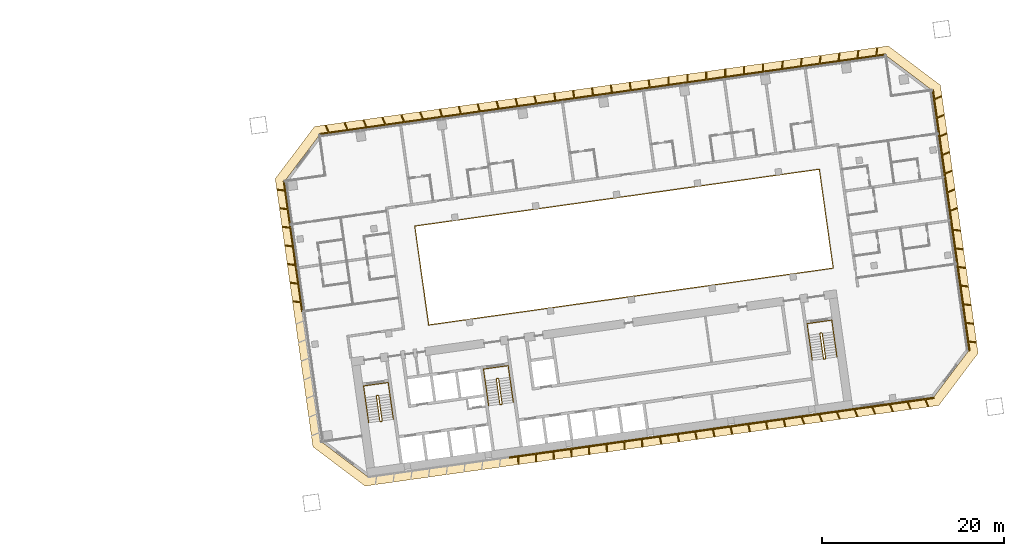
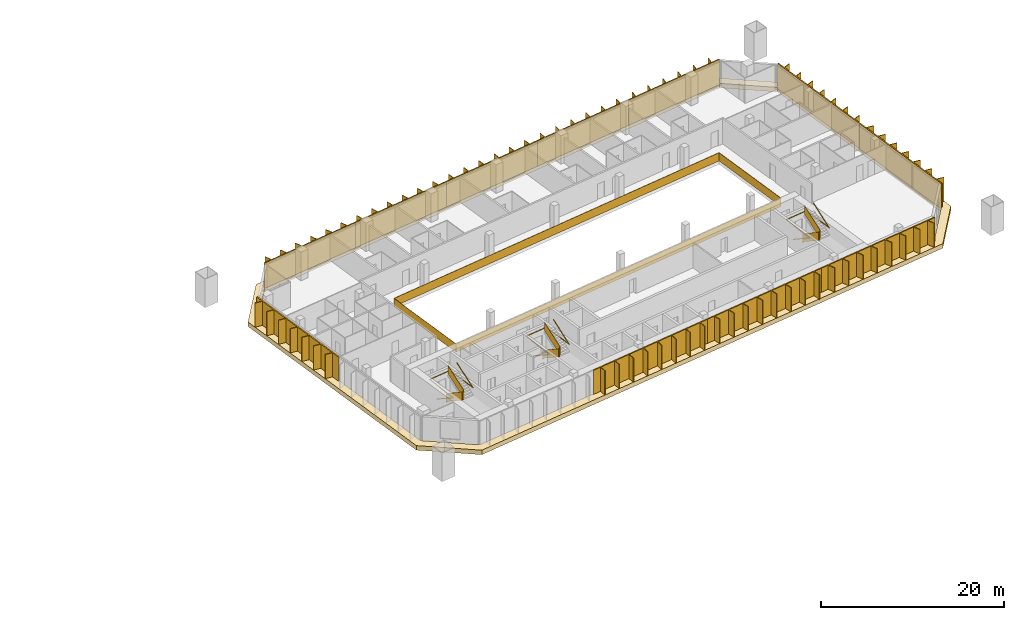
# One storey, part 25 of 25: 11 shading devices, 7 railings, 1 covering.
"""IFC4 building model written with IfcOpenShell, lengths in metres."""

import ifcopenshell
import ifcopenshell.guid

model = None  # the IFC model being written
_history = None  # IfcOwnerHistory: only IFC2X3 demands one
_inside = {}  # id of a spatial element -> (the spatial element, [elements in it])
_under = {}  # id of a project, library or spatial element -> (it, [spatial elements below it])
_declared = {}  # id of a project -> (the project, [libraries it declares])
_typed = {}  # id of a type object -> (the type object, [elements of that type])
_made_of = {}  # id of a material, layer set ... -> (it, [elements and type objects made of it])


def new_model(schema):
    """Start an empty IFC model of exactly this schema.

    Asked for "IFC4X3", IfcOpenShell would pick the latest addendum, in which some entities
    have other attributes; the version numbers below select the first issue.
    IFC2X3 requires an IfcOwnerHistory on every rooted entity: one is made here for all.
    """
    global model, _history
    if schema == "IFC4X3":
        model = ifcopenshell.file(schema_version=(4, 3, 0, 0))
    else:
        model = ifcopenshell.file(schema=schema)
    _inside.clear()
    _under.clear()
    _declared.clear()
    _typed.clear()
    _made_of.clear()
    _history = None
    if model.schema == "IFC2X3":
        org = make("IfcOrganization", Name="unknown")
        user = make(
            "IfcPersonAndOrganization",
            ThePerson=make("IfcPerson", FamilyName="unknown"),
            TheOrganization=org,
        )
        app = make(
            "IfcApplication",
            ApplicationDeveloper=org,
            Version="unknown",
            ApplicationFullName="unknown",
            ApplicationIdentifier="unknown",
        )
        _history = make(
            "IfcOwnerHistory",
            OwningUser=user,
            OwningApplication=app,
            ChangeAction="ADDED",
            CreationDate=0,
        )
    return model


def make(cls, **values):
    """One entity of the class cls with the attributes given. An attribute that is None is left unset."""
    return model.create_entity(
        cls, **{name: value for name, value in values.items() if value is not None}
    )


def rooted(cls, **values):
    """An entity with a GlobalId (a new one), such as an element, a storey or a relation."""
    return make(cls, GlobalId=ifcopenshell.guid.new(), OwnerHistory=_history, **values)


def si_unit(unit_type, name, prefix=None):
    """IfcSIUnit, for example si_unit("LENGTHUNIT", "METRE", prefix="MILLI")."""
    return make("IfcSIUnit", UnitType=unit_type, Prefix=prefix, Name=name)


def assignment(units):
    """IfcUnitAssignment: the units of a project."""
    return None if units is None else make("IfcUnitAssignment", Units=units)


def point(xyz):
    """IfcCartesianPoint."""
    return None if xyz is None else make("IfcCartesianPoint", Coordinates=xyz)


def direction(xyz):
    """IfcDirection."""
    return None if xyz is None else make("IfcDirection", DirectionRatios=xyz)


def frame(location, z_axis=None, x_axis=None):
    """IfcAxis2Placement3D, a coordinate frame: its origin and axes. An axis left out is left unset."""
    return make(
        "IfcAxis2Placement3D",
        Location=point(location),
        Axis=direction(z_axis),
        RefDirection=direction(x_axis),
    )


def frame_2d(location, x_axis=None):
    """IfcAxis2Placement2D, a coordinate frame in the plane: its origin and x axis."""
    return make(
        "IfcAxis2Placement2D", Location=point(location), RefDirection=direction(x_axis)
    )


def origin():
    """The frame at (0, 0, 0) with its axes left unset."""
    return frame((0.0, 0.0, 0.0))


def origin_2d():
    """The frame at (0, 0) in the plane with its x axis left unset."""
    return frame_2d((0.0, 0.0))


def place(relative_to, where):
    """IfcLocalPlacement: puts the frame where relative to a parent placement (None: the world)."""
    return make(
        "IfcLocalPlacement", PlacementRelTo=relative_to, RelativePlacement=where
    )


def context(
    kind, dimensions, precision=None, world=None, true_north=None, identifier=None
):
    """IfcGeometricRepresentationContext, for example the 3D "Model" context."""
    return make(
        "IfcGeometricRepresentationContext",
        ContextIdentifier=identifier,
        ContextType=kind,
        CoordinateSpaceDimension=dimensions,
        Precision=precision,
        WorldCoordinateSystem=world,
        TrueNorth=true_north,
    )


def subcontext(parent, identifier, kind, view, scale=None):
    """IfcGeometricRepresentationSubContext, for example "Body" below "Model"."""
    return make(
        "IfcGeometricRepresentationSubContext",
        ContextIdentifier=identifier,
        ContextType=kind,
        ParentContext=parent,
        TargetScale=scale,
        TargetView=view,
    )


def project(units=None, contexts=None):
    """IfcProject with its units and contexts."""
    return rooted(
        "IfcProject",
        Name="project",
        RepresentationContexts=contexts,
        UnitsInContext=assignment(units),
    )


def spatial(cls, under=None, at=None, **own):
    """A site, building, storey or space (cls), placed at a placement, below another one or the project."""
    s = rooted(cls, ObjectPlacement=at, **own)
    if under is not None:
        _under.setdefault(under.id(), (under, []))[1].append(s)
    return s


def polyline(points):
    """IfcPolyline through the points."""
    return make("IfcPolyline", Points=[point(p) for p in points])


def profile(cls, at=None, kind="AREA", **sizes):
    """A parametric profile (cls). Its sizes go by their IFC names, for example OverallWidth=200.0."""
    return make(cls, ProfileType=kind, Position=at, **sizes)


def rectangle(**sizes):
    """IfcRectangleProfileDef."""
    return profile("IfcRectangleProfileDef", **sizes)


def outline(outer, holes=None, kind="AREA"):
    """IfcArbitraryClosedProfileDef: a profile drawn as a closed curve; with holes, ...WithVoids."""
    if holes is None:
        return make("IfcArbitraryClosedProfileDef", ProfileType=kind, OuterCurve=outer)
    return make(
        "IfcArbitraryProfileDefWithVoids",
        ProfileType=kind,
        OuterCurve=outer,
        InnerCurves=holes,
    )


def extrude(swept, where, along, depth):
    """IfcExtrudedAreaSolid: the profile swept, set in the frame where, extruded along a direction by depth."""
    return make(
        "IfcExtrudedAreaSolid",
        SweptArea=swept,
        Position=where,
        ExtrudedDirection=direction(along),
        Depth=depth,
    )


def shape(context_of_items, identifier, shape_type, items):
    """IfcShapeRepresentation: the items that make up one representation, for example the "Body"."""
    return make(
        "IfcShapeRepresentation",
        ContextOfItems=context_of_items,
        RepresentationIdentifier=identifier,
        RepresentationType=shape_type,
        Items=items,
    )


def material(Name=None, Category=None):
    """IfcMaterial."""
    return make("IfcMaterial", Name=Name, Category=Category)


def layer(
    of_material, thickness, ventilated=None, Name=None, Category=None, Priority=None
):
    """IfcMaterialLayer: one layer of a wall or slab, of a material (None: an air gap)."""
    return make(
        "IfcMaterialLayer",
        Material=of_material,
        LayerThickness=thickness,
        IsVentilated=ventilated,
        Name=Name,
        Category=Category,
        Priority=Priority,
    )


def layer_set(layers, Name=None):
    """IfcMaterialLayerSet."""
    return make("IfcMaterialLayerSet", MaterialLayers=layers, LayerSetName=Name)


def made_of(thing, what):
    """Note that an element or type object is made of a material, layer set ...; save() writes the relation."""
    if what is not None:
        _made_of.setdefault(what.id(), (what, []))[1].append(thing)
    return thing


def type_object(cls, material=None, **own):
    """A type object (cls), such as IfcWallType, which elements share."""
    return made_of(rooted(cls, **own), material)


def element(
    cls,
    number,
    at=None,
    inside=None,
    cuts=None,
    type_object=None,
    material=None,
    context=None,
    identifier="Body",
    shape_type=None,
    held_by="IfcProductDefinitionShape",
    body=None,
    shapes=None,
    **own,
):
    """One element of the class cls, such as IfcWall. Its Tag is "e" and its number.

    at: its placement. inside: the storey or other place that contains it. cuts: it is an
    opening in that element (IfcRelVoidsElement). A single representation is given by context,
    identifier, shape_type and body (its items); several are given by shapes. held_by: the class
    of the entity that holds the representations. save() writes the other relations.
    """
    e = rooted(cls, Tag="e%d" % number, ObjectPlacement=at, **own)
    if body is not None:
        shapes = [shape(context, identifier, shape_type, body)]
    if shapes is not None:
        e.Representation = make(held_by, Representations=shapes)
    if inside is not None:
        _inside.setdefault(inside.id(), (inside, []))[1].append(e)
    if cuts is not None:
        rooted(
            "IfcRelVoidsElement", RelatingBuildingElement=cuts, RelatedOpeningElement=e
        )
    if type_object is not None:
        _typed.setdefault(type_object.id(), (type_object, []))[1].append(e)
    return made_of(e, material)


def aggregate(whole, parts):
    """IfcRelAggregates: a whole, such as a stair, and the parts it consists of."""
    return rooted("IfcRelAggregates", RelatingObject=whole, RelatedObjects=parts)


def save(model, path):
    """Write the relations noted so far, then the file.

    IfcRelAggregates (storeys below a building ...), IfcRelContainedInSpatialStructure (elements
    in a storey), IfcRelDefinesByType, IfcRelAssociatesMaterial and IfcRelDeclares: one each for
    every whole, place, type object, material and project.
    """
    for whole, parts in _under.values():
        aggregate(whole, parts)
    for where, things in _inside.values():
        rooted(
            "IfcRelContainedInSpatialStructure",
            RelatedElements=things,
            RelatingStructure=where,
        )
    for kind, things in _typed.values():
        rooted("IfcRelDefinesByType", RelatedObjects=things, RelatingType=kind)
    for what, things in _made_of.values():
        rooted("IfcRelAssociatesMaterial", RelatedObjects=things, RelatingMaterial=what)
    for by, libraries in _declared.values():
        rooted("IfcRelDeclares", RelatingContext=by, RelatedDefinitions=libraries)
    model.write(path)


model = new_model("IFC4")

# Units and contexts
model_context = context("Model", 3, precision=1e-05, world=origin(), true_north=direction((0.0, 1.0)))
body_context = subcontext(model_context, "Body", "Model", "MODEL_VIEW")
ifc_project = project(units=[si_unit("LENGTHUNIT", "METRE"), si_unit("AREAUNIT", "SQUARE_METRE"), si_unit("VOLUMEUNIT", "CUBIC_METRE"), si_unit("PLANEANGLEUNIT", "RADIAN"), si_unit("MASSUNIT", "GRAM", prefix="KILO")], contexts=[model_context])

# Site, building, storey
site_placement = place(None, origin())
site = spatial("IfcSite", under=ifc_project, at=site_placement, CompositionType="ELEMENT")
building_placement = place(site_placement, origin())
building = spatial("IfcBuilding", under=site, at=building_placement, Name="Mirante Cascada Hotel Towers", CompositionType="ELEMENT")
storey_placement = place(building_placement, frame((0.0, 0.0, 69.9)))
storey = spatial("IfcBuildingStorey", under=building, at=storey_placement, Name="L14", CompositionType="ELEMENT", Elevation=69.9)

# Railing
ifc_material_1 = material(Name="Toughened glass with stainless steel handrail", Category="steel")
railing_type_1 = type_object("IfcRailingType", Name="Atrium guard 1100 glass balustrade", PredefinedType="GUARDRAIL", material=ifc_material_1)
railing_1_placement = place(storey_placement, frame((43.8418, -3.4881, 0.0)))
element("IfcRailing", 1, at=railing_1_placement, inside=storey, type_object=railing_type_1, Name="GUARD 2-L14-1", PredefinedType="GUARDRAIL", context=body_context, shape_type="SweptSolid", body=[
    extrude(rectangle(XDim=0.048, YDim=0.048, at=origin_2d()), frame((0.0, 0.0, 1.076), z_axis=(0.9902681, 0.1391732, 0.0), x_axis=(-0.1391732, 0.9902681, 0.0)), (0.0, 0.0, 1.0), 45.0),
    extrude(rectangle(XDim=0.02, YDim=1.052, at=origin_2d()), frame((0.0, 0.0, 0.526), z_axis=(0.9902681, 0.1391732, 0.0), x_axis=(-0.1391732, 0.9902681, 0.0)), (0.0, 0.0, 1.0), 45.0),
    extrude(rectangle(XDim=0.048, YDim=0.048, at=origin_2d()), frame((44.5621, 6.2628, 1.076), z_axis=(-0.1391721, 0.9902682, 0.0), x_axis=(-0.9902682, -0.1391721, 0.0)), (0.0, 0.0, 1.0), 11.0001),
    extrude(rectangle(XDim=0.02, YDim=1.052, at=origin_2d()), frame((44.5621, 6.2628, 0.526), z_axis=(-0.1391721, 0.9902682, 0.0), x_axis=(-0.9902682, -0.1391721, 0.0)), (0.0, 0.0, 1.0), 11.0001),
    extrude(rectangle(XDim=0.048, YDim=0.048, at=origin_2d()), frame((43.0312, 17.1558, 1.076), z_axis=(-0.9902681, -0.1391732, 0.0), x_axis=(0.1391732, -0.9902681, 0.0)), (0.0, 0.0, 1.0), 45.0),
    extrude(rectangle(XDim=0.02, YDim=1.052, at=origin_2d()), frame((43.0312, 17.1558, 0.526), z_axis=(-0.9902681, -0.1391732, 0.0), x_axis=(0.1391732, -0.9902681, 0.0)), (0.0, 0.0, 1.0), 45.0),
    extrude(rectangle(XDim=0.048, YDim=0.048, at=origin_2d()), frame((-1.5309, 10.893, 1.076), z_axis=(0.1391721, -0.9902682, 0.0), x_axis=(0.9902682, 0.1391721, 0.0)), (0.0, 0.0, 1.0), 11.0001),
    extrude(rectangle(XDim=0.02, YDim=1.052, at=origin_2d()), frame((-1.5309, 10.893, 0.526), z_axis=(0.1391721, -0.9902682, 0.0), x_axis=(0.9902682, 0.1391721, 0.0)), (0.0, 0.0, 1.0), 11.0001),
])

# Covering
ifc_material_2 = material(Name="Precast concrete C40/50 white", Category="concrete")
ifc_layer = layer(ifc_material_2, 0.6)
ifc_layer_set = layer_set([ifc_layer], Name="Precast concrete SUNSHADE band 1000x600")
covering_type = type_object("IfcCoveringType", Name="Precast concrete SUNSHADE band 1000x600", PredefinedType="CLADDING", material=ifc_layer_set)
covering_placement = place(storey_placement, frame((0.0, 0.0, -0.45)))
element("IfcCovering", 2, at=covering_placement, inside=storey, type_object=covering_type, Name="Precast concrete SUNSHADE band T2 L14", PredefinedType="CLADDING", context=body_context, shape_type="SweptSolid", body=[
    extrude(outline(polyline([(26.9341, 12.6299), (31.2626, 18.374), (94.4698, 27.2572), (100.2139, 22.9287), (104.3652, -6.6094), (100.0367, -12.3535), (36.8295, -21.2367), (31.0854, -16.9082), (26.9341, 12.6299)]), holes=[polyline([(103.3173, -6.3384), (99.2813, 22.3794), (94.1988, 26.2093), (31.8119, 17.4414), (27.982, 12.3589), (32.018, -16.3589), (37.1005, -20.1888), (99.4874, -11.4209), (103.3173, -6.3384)])]), origin(), (0.0, 0.0, 1.0), 0.6),
])

# Railings
ifc_material_3 = material(Name="Painted steel", Category="steel")
railing_type_2 = type_object("IfcRailingType", Name="Stair guard 1100 steel balustrade", PredefinedType="GUARDRAIL", material=ifc_material_3)
railing_2_placement = place(storey_placement, frame((38.2663, -11.2395, 0.0)))
element("IfcRailing", 3, at=railing_2_placement, inside=storey, type_object=railing_type_2, Name="L14 ST2-A stair guard 1", PredefinedType="GUARDRAIL", context=body_context, shape_type="SweptSolid", body=[
    extrude(rectangle(XDim=0.048, YDim=0.048, at=origin_2d()), frame((0.0, 0.0, 1.076), z_axis=(-0.9903326, -0.1387133, 0.0), x_axis=(0.1387133, -0.9903326, 0.0)), (0.0, 0.0, 1.0), 0.1499),
    extrude(rectangle(XDim=0.02, YDim=1.052, at=origin_2d()), frame((0.0, 0.0, 0.526), z_axis=(-0.9903326, -0.1387133, 0.0), x_axis=(0.1387133, -0.9903326, 0.0)), (0.0, 0.0, 1.0), 0.1499),
    extrude(rectangle(XDim=0.048, YDim=0.048, at=origin_2d()), frame((-0.1485, -0.0208, 1.076), z_axis=(-0.6020331, -0.7984711, 0.0), x_axis=(0.7984711, -0.6020331, 0.0)), (0.0, 0.9253398, 0.3791387), 0.1866),
    extrude(rectangle(XDim=0.02, YDim=1.052, at=origin_2d()), frame((-0.1485, -0.0208, 0.526), z_axis=(-0.6020331, -0.7984711, 0.0), x_axis=(0.7984711, -0.6020331, 0.0)), (0.0, 0.9253398, 0.3791387), 0.1866),
    extrude(rectangle(XDim=0.048, YDim=0.048, at=origin_2d()), frame((-0.1911, -0.0773, 1.2487), z_axis=(0.139176, -0.9902677, 0.0), x_axis=(0.9902677, 0.139176, 0.0)), (0.0, 0.5250212, 0.8510891), 3.29),
    extrude(rectangle(XDim=0.02, YDim=1.052, at=origin_2d()), frame((-0.1911, -0.0773, 0.6987), z_axis=(0.139176, -0.9902677, 0.0), x_axis=(0.9902677, 0.139176, 0.0)), (0.0, 0.5250212, 0.8510891), 3.29),
    extrude(rectangle(XDim=0.048, YDim=0.048, at=origin_2d()), frame((0.1986, -2.8501, 2.976), z_axis=(0.9944948, -0.1047858, 0.0), x_axis=(0.1047858, 0.9944948, 0.0)), (0.0, 0.0, 1.0), 0.2061),
    extrude(rectangle(XDim=0.02, YDim=1.052, at=origin_2d()), frame((0.1986, -2.8501, 2.426), z_axis=(0.9944948, -0.1047858, 0.0), x_axis=(0.1047858, 0.9944948, 0.0)), (0.0, 0.0, 1.0), 0.2061),
    extrude(rectangle(XDim=0.048, YDim=0.048, at=origin_2d()), frame((0.4036, -2.8717, 2.976), z_axis=(-0.9902408, -0.1393672, 0.0), x_axis=(0.1393672, -0.9902408, 0.0)), (0.0, 0.0, 1.0), 0.15),
    extrude(rectangle(XDim=0.02, YDim=1.052, at=origin_2d()), frame((0.4036, -2.8717, 2.426), z_axis=(-0.9902408, -0.1393672, 0.0), x_axis=(0.1393672, -0.9902408, 0.0)), (0.0, 0.0, 1.0), 0.15),
    extrude(rectangle(XDim=0.048, YDim=0.048, at=origin_2d()), frame((0.2551, -2.8926, 2.976), z_axis=(0.9270311, 0.3749843, 0.0), x_axis=(-0.3749843, 0.9270311, 0.0)), (0.0, 0.6421903, 0.7665452), 0.2689),
    extrude(rectangle(XDim=0.02, YDim=1.052, at=origin_2d()), frame((0.2551, -2.8926, 2.426), z_axis=(0.9270311, 0.3749843, 0.0), x_axis=(-0.3749843, 0.9270311, 0.0)), (0.0, 0.6421903, 0.7665452), 0.2689),
    extrude(rectangle(XDim=0.048, YDim=0.048, at=origin_2d()), frame((0.4462, -2.8153, 3.1487), z_axis=(-0.139176, 0.9902677, 0.0), x_axis=(-0.9902677, -0.139176, 0.0)), (0.0, 0.5250212, 0.8510891), 3.29),
    extrude(rectangle(XDim=0.02, YDim=1.052, at=origin_2d()), frame((0.4462, -2.8153, 2.5987), z_axis=(-0.139176, 0.9902677, 0.0), x_axis=(-0.9902677, -0.139176, 0.0)), (0.0, 0.5250212, 0.8510891), 3.29),
])
railing_3_placement = place(storey_placement, frame((51.4864, -9.3815, 0.0)))
element("IfcRailing", 4, at=railing_3_placement, inside=storey, type_object=railing_type_2, Name="L14 ST2-B stair guard 1", PredefinedType="GUARDRAIL", context=body_context, shape_type="SweptSolid", body=[
    extrude(rectangle(XDim=0.048, YDim=0.048, at=origin_2d()), frame((0.0, 0.0, 1.076), z_axis=(-0.9902408, -0.1393672, 0.0), x_axis=(0.1393672, -0.9902408, 0.0)), (0.0, 0.0, 1.0), 0.15),
    extrude(rectangle(XDim=0.02, YDim=1.052, at=origin_2d()), frame((0.0, 0.0, 0.526), z_axis=(-0.9902408, -0.1393672, 0.0), x_axis=(0.1393672, -0.9902408, 0.0)), (0.0, 0.0, 1.0), 0.15),
    extrude(rectangle(XDim=0.048, YDim=0.048, at=origin_2d()), frame((-0.1485, -0.0209, 1.076), z_axis=(-0.6020331, -0.7984711, 0.0), x_axis=(0.7984711, -0.6020331, 0.0)), (0.0, 0.9253398, 0.3791387), 0.1866),
    extrude(rectangle(XDim=0.02, YDim=1.052, at=origin_2d()), frame((-0.1485, -0.0209, 0.526), z_axis=(-0.6020331, -0.7984711, 0.0), x_axis=(0.7984711, -0.6020331, 0.0)), (0.0, 0.9253398, 0.3791387), 0.1866),
    extrude(rectangle(XDim=0.048, YDim=0.048, at=origin_2d()), frame((-0.1911, -0.0774, 1.2487), z_axis=(0.139181, -0.990267, 0.0), x_axis=(0.990267, 0.139181, 0.0)), (0.0, 0.5250347, 0.8510808), 3.2899),
    extrude(rectangle(XDim=0.02, YDim=1.052, at=origin_2d()), frame((-0.1911, -0.0774, 0.6987), z_axis=(0.139181, -0.990267, 0.0), x_axis=(0.990267, 0.139181, 0.0)), (0.0, 0.5250347, 0.8510808), 3.2899),
    extrude(rectangle(XDim=0.048, YDim=0.048, at=origin_2d()), frame((0.1986, -2.8501, 2.976), z_axis=(0.9944441, -0.1052656, 0.0), x_axis=(0.1052656, 0.9944441, 0.0)), (0.0, 0.0, 1.0), 0.2061),
    extrude(rectangle(XDim=0.02, YDim=1.052, at=origin_2d()), frame((0.1986, -2.8501, 2.426), z_axis=(0.9944441, -0.1052656, 0.0), x_axis=(0.1052656, 0.9944441, 0.0)), (0.0, 0.0, 1.0), 0.2061),
    extrude(rectangle(XDim=0.048, YDim=0.048, at=origin_2d()), frame((0.4036, -2.8718, 2.976), z_axis=(-0.9902408, -0.1393672, 0.0), x_axis=(0.1393672, -0.9902408, 0.0)), (0.0, 0.0, 1.0), 0.15),
    extrude(rectangle(XDim=0.02, YDim=1.052, at=origin_2d()), frame((0.4036, -2.8718, 2.426), z_axis=(-0.9902408, -0.1393672, 0.0), x_axis=(0.1393672, -0.9902408, 0.0)), (0.0, 0.0, 1.0), 0.15),
    extrude(rectangle(XDim=0.048, YDim=0.048, at=origin_2d()), frame((0.2551, -2.8927, 2.976), z_axis=(0.9268624, 0.3754011, 0.0), x_axis=(-0.3754011, 0.9268624, 0.0)), (0.0, 0.6421217, 0.7666028), 0.269),
    extrude(rectangle(XDim=0.02, YDim=1.052, at=origin_2d()), frame((0.2551, -2.8927, 2.426), z_axis=(0.9268624, 0.3754011, 0.0), x_axis=(-0.3754011, 0.9268624, 0.0)), (0.0, 0.6421217, 0.7666028), 0.269),
    extrude(rectangle(XDim=0.048, YDim=0.048, at=origin_2d()), frame((0.4462, -2.8153, 3.1487), z_axis=(-0.139181, 0.990267, 0.0), x_axis=(-0.990267, -0.139181, 0.0)), (0.0, 0.5250347, 0.8510808), 3.2899),
    extrude(rectangle(XDim=0.02, YDim=1.052, at=origin_2d()), frame((0.4462, -2.8153, 2.5987), z_axis=(-0.139181, 0.990267, 0.0), x_axis=(-0.990267, -0.139181, 0.0)), (0.0, 0.5250347, 0.8510808), 3.2899),
])
railing_4_placement = place(storey_placement, frame((87.1361, -4.3713, 0.0)))
element("IfcRailing", 5, at=railing_4_placement, inside=storey, type_object=railing_type_2, Name="L14 ST2-C stair guard 1", PredefinedType="GUARDRAIL", context=body_context, shape_type="SweptSolid", body=[
    extrude(rectangle(XDim=0.048, YDim=0.048, at=origin_2d()), frame((0.0, 0.0, 1.076), z_axis=(-0.9902537, -0.1392753, 0.0), x_axis=(0.1392753, -0.9902537, 0.0)), (0.0, 0.0, 1.0), 0.1501),
    extrude(rectangle(XDim=0.02, YDim=1.052, at=origin_2d()), frame((0.0, 0.0, 0.526), z_axis=(-0.9902537, -0.1392753, 0.0), x_axis=(0.1392753, -0.9902537, 0.0)), (0.0, 0.0, 1.0), 0.1501),
    extrude(rectangle(XDim=0.048, YDim=0.048, at=origin_2d()), frame((-0.1486, -0.0209, 1.076), z_axis=(-0.601811, -0.7986386, 0.0), x_axis=(0.7986386, -0.601811, 0.0)), (0.0, 0.925603, 0.3784959), 0.1866),
    extrude(rectangle(XDim=0.02, YDim=1.052, at=origin_2d()), frame((-0.1486, -0.0209, 0.526), z_axis=(-0.601811, -0.7986386, 0.0), x_axis=(0.7986386, -0.601811, 0.0)), (0.0, 0.925603, 0.3784959), 0.1866),
    extrude(rectangle(XDim=0.048, YDim=0.048, at=origin_2d()), frame((-0.1911, -0.0773, 1.2487), z_axis=(0.139176, -0.9902677, 0.0), x_axis=(0.9902677, 0.139176, 0.0)), (0.0, 0.5250212, 0.8510891), 3.29),
    extrude(rectangle(XDim=0.02, YDim=1.052, at=origin_2d()), frame((-0.1911, -0.0773, 0.6987), z_axis=(0.139176, -0.9902677, 0.0), x_axis=(0.9902677, 0.139176, 0.0)), (0.0, 0.5250212, 0.8510891), 3.29),
    extrude(rectangle(XDim=0.048, YDim=0.048, at=origin_2d()), frame((0.1986, -2.8501, 2.976), z_axis=(0.9944441, -0.1052656, 0.0), x_axis=(0.1052656, 0.9944441, 0.0)), (0.0, 0.0, 1.0), 0.2061),
    extrude(rectangle(XDim=0.02, YDim=1.052, at=origin_2d()), frame((0.1986, -2.8501, 2.426), z_axis=(0.9944441, -0.1052656, 0.0), x_axis=(0.1052656, 0.9944441, 0.0)), (0.0, 0.0, 1.0), 0.2061),
    extrude(rectangle(XDim=0.048, YDim=0.048, at=origin_2d()), frame((0.4036, -2.8718, 2.976), z_axis=(-0.9903454, -0.1386217, 0.0), x_axis=(0.1386217, -0.9903454, 0.0)), (0.0, 0.0, 1.0), 0.15),
    extrude(rectangle(XDim=0.02, YDim=1.052, at=origin_2d()), frame((0.4036, -2.8718, 2.426), z_axis=(-0.9903454, -0.1386217, 0.0), x_axis=(0.1386217, -0.9903454, 0.0)), (0.0, 0.0, 1.0), 0.15),
    extrude(rectangle(XDim=0.048, YDim=0.048, at=origin_2d()), frame((0.255, -2.8926, 2.976), z_axis=(0.9270311, 0.3749843, 0.0), x_axis=(-0.3749843, 0.9270311, 0.0)), (0.0, 0.6421903, 0.7665452), 0.2689),
    extrude(rectangle(XDim=0.02, YDim=1.052, at=origin_2d()), frame((0.255, -2.8926, 2.426), z_axis=(0.9270311, 0.3749843, 0.0), x_axis=(-0.3749843, 0.9270311, 0.0)), (0.0, 0.6421903, 0.7665452), 0.2689),
    extrude(rectangle(XDim=0.048, YDim=0.048, at=origin_2d()), frame((0.4461, -2.8153, 3.1487), z_axis=(-0.139176, 0.9902677, 0.0), x_axis=(-0.9902677, -0.139176, 0.0)), (0.0, 0.5250212, 0.8510891), 3.29),
    extrude(rectangle(XDim=0.02, YDim=1.052, at=origin_2d()), frame((0.4461, -2.8153, 2.5987), z_axis=(-0.139176, 0.9902677, 0.0), x_axis=(-0.9902677, -0.139176, 0.0)), (0.0, 0.5250212, 0.8510891), 3.29),
])
ifc_material_4 = material(Name="Painted steel", Category="steel")
railing_type_3 = type_object("IfcRailingType", Name="Stair handrail 900 steel tube", PredefinedType="HANDRAIL", material=ifc_material_4)
railing_5_placement = place(storey_placement, frame((36.8374, -11.4908, 0.1727)))
element("IfcRailing", 6, at=railing_5_placement, inside=storey, type_object=railing_type_3, Name="L14 ST2-A stair handrail 1", PredefinedType="HANDRAIL", context=body_context, shape_type="SweptSolid", body=[
    extrude(rectangle(XDim=0.048, YDim=0.048, at=origin_2d()), frame((0.0, 0.0, 0.876), z_axis=(0.139181, -0.990267, 0.0), x_axis=(0.990267, 0.139181, 0.0)), (0.0, 0.5250347, 0.8510808), 3.2899),
    extrude(rectangle(XDim=0.048, YDim=0.048, at=origin_2d()), frame((0.3897, -2.7727, 2.6033), z_axis=(-0.1391707, 0.9902684, 0.0), x_axis=(-0.9902684, -0.1391707, 0.0)), (0.0, 0.0420846, 0.999114), 4.1036),
    extrude(rectangle(XDim=0.048, YDim=0.048, at=origin_2d()), frame((-0.1809, 1.2874, 2.776), z_axis=(0.9902691, 0.1391657, 0.0), x_axis=(-0.1391657, 0.9902691, 0.0)), (0.0, 0.0, 1.0), 2.75),
    extrude(rectangle(XDim=0.048, YDim=0.048, at=origin_2d()), frame((2.5423, 1.6701, 2.776), z_axis=(0.1391707, -0.9902684, 0.0), x_axis=(0.9902684, 0.1391707, 0.0)), (0.0, 0.0, 1.0), 4.1),
    extrude(rectangle(XDim=0.048, YDim=0.048, at=origin_2d()), frame((3.1129, -2.39, 2.776), z_axis=(-0.139181, 0.990267, 0.0), x_axis=(-0.990267, -0.139181, 0.0)), (0.0, 0.5250347, 0.8510808), 3.2899),
])
railing_6_placement = place(storey_placement, frame((50.0575, -9.6328, 0.1727)))
element("IfcRailing", 7, at=railing_6_placement, inside=storey, type_object=railing_type_3, Name="L14 ST2-B stair handrail 1", PredefinedType="HANDRAIL", context=body_context, shape_type="SweptSolid", body=[
    extrude(rectangle(XDim=0.048, YDim=0.048, at=origin_2d()), frame((0.0, 0.0, 0.876), z_axis=(0.139176, -0.9902677, 0.0), x_axis=(0.9902677, 0.139176, 0.0)), (0.0, 0.5250212, 0.8510891), 3.29),
    extrude(rectangle(XDim=0.048, YDim=0.048, at=origin_2d()), frame((0.3897, -2.7728, 2.6033), z_axis=(-0.1391707, 0.9902684, 0.0), x_axis=(-0.9902684, -0.1391707, 0.0)), (0.0, 0.0420846, 0.999114), 4.1036),
    extrude(rectangle(XDim=0.048, YDim=0.048, at=origin_2d()), frame((-0.1809, 1.2873, 2.776), z_axis=(0.9902641, 0.1392013, 0.0), x_axis=(-0.1392013, 0.9902641, 0.0)), (0.0, 0.0, 1.0), 2.75),
    extrude(rectangle(XDim=0.048, YDim=0.048, at=origin_2d()), frame((2.5423, 1.6701, 2.776), z_axis=(0.1391707, -0.9902684, 0.0), x_axis=(0.9902684, 0.1391707, 0.0)), (0.0, 0.0, 1.0), 4.1),
    extrude(rectangle(XDim=0.048, YDim=0.048, at=origin_2d()), frame((3.1129, -2.39, 2.776), z_axis=(-0.139181, 0.990267, 0.0), x_axis=(-0.990267, -0.139181, 0.0)), (0.0, 0.5250347, 0.8510808), 3.2899),
])
railing_7_placement = place(storey_placement, frame((85.7071, -4.6226, 0.1727)))
element("IfcRailing", 8, at=railing_7_placement, inside=storey, type_object=railing_type_3, Name="L14 ST2-C stair handrail 1", PredefinedType="HANDRAIL", context=body_context, shape_type="SweptSolid", body=[
    extrude(rectangle(XDim=0.048, YDim=0.048, at=origin_2d()), frame((0.0, 0.0, 0.876), z_axis=(0.139181, -0.990267, 0.0), x_axis=(0.990267, 0.139181, 0.0)), (0.0, 0.5250347, 0.8510808), 3.2899),
    extrude(rectangle(XDim=0.048, YDim=0.048, at=origin_2d()), frame((0.3897, -2.7727, 2.6033), z_axis=(-0.1391707, 0.9902684, 0.0), x_axis=(-0.9902684, -0.1391707, 0.0)), (0.0, 0.0420846, 0.999114), 4.1036),
    extrude(rectangle(XDim=0.048, YDim=0.048, at=origin_2d()), frame((-0.1809, 1.2874, 2.776), z_axis=(0.9902691, 0.1391657, 0.0), x_axis=(-0.1391657, 0.9902691, 0.0)), (0.0, 0.0, 1.0), 2.75),
    extrude(rectangle(XDim=0.048, YDim=0.048, at=origin_2d()), frame((2.5423, 1.6701, 2.776), z_axis=(0.1391947, -0.990265, 0.0), x_axis=(0.990265, 0.1391947, 0.0)), (0.0, 0.0, 1.0), 4.1),
    extrude(rectangle(XDim=0.048, YDim=0.048, at=origin_2d()), frame((3.113, -2.39, 2.776), z_axis=(-0.139181, 0.990267, 0.0), x_axis=(-0.990267, -0.139181, 0.0)), (0.0, 0.5250347, 0.8510808), 3.2899),
])

# Shading devices
ifc_material_5 = material(Name="White precast concrete C50/60 fin", Category="concrete")
shading_device_type = type_object("IfcShadingDeviceType", Name="Vertical fin set 4500x900", PredefinedType="USERDEFINED", material=ifc_material_5)
shading_device_1_placement = place(storey_placement, origin())
element("IfcShadingDevice", 9, at=shading_device_1_placement, inside=storey, type_object=shading_device_type, Name="FIN T2 L14 front 1", ObjectType="FIN", PredefinedType="USERDEFINED", context=body_context, shape_type="SweptSolid", body=[
    extrude(outline(polyline([(82.8967, 25.5893), (82.7946, 24.758), (84.7922, 25.0387), (84.8968, 25.8913), (84.9762, 25.8815), (84.8742, 25.0503), (86.8717, 25.331), (86.9764, 26.1835), (87.0558, 26.1738), (86.9537, 25.3425), (88.9513, 25.6233), (89.056, 26.4758), (89.1354, 26.4661), (89.0333, 25.6348), (91.0308, 25.9155), (91.1355, 26.7681), (91.2149, 26.7583), (91.1129, 25.9271), (93.1104, 26.2078), (93.2151, 27.0603), (93.2945, 27.0506), (93.1924, 26.2193), (94.1779, 26.3578), (94.1988, 26.2093), (81.7214, 24.4557), (81.7006, 24.6042), (82.7126, 24.7465), (82.8173, 25.599), (82.8967, 25.5893)])), origin(), (0.0, 0.0, 1.0), 3.35),
])
shading_device_2_placement = place(storey_placement, origin())
element("IfcShadingDevice", 10, at=shading_device_2_placement, inside=storey, type_object=shading_device_type, Name="FIN T2 L14 front 2", ObjectType="FIN", PredefinedType="USERDEFINED", context=body_context, shape_type="SweptSolid", body=[
    extrude(outline(polyline([(70.3021, 23.8476), (70.3094, 23.0033), (72.3091, 23.2844), (72.3016, 24.1392), (72.3816, 24.1399), (72.389, 23.2956), (74.3886, 23.5766), (74.3812, 24.4314), (74.4612, 24.4321), (74.4686, 23.5878), (76.4682, 23.8689), (76.4608, 24.7237), (76.5407, 24.7244), (76.5481, 23.8801), (78.5478, 24.1611), (78.5403, 25.0159), (78.6203, 25.0166), (78.6277, 24.1724), (80.6273, 24.4534), (80.6199, 25.3082), (80.6999, 25.3089), (80.7072, 24.4646), (81.7006, 24.6042), (81.7214, 24.4557), (69.2441, 22.7021), (69.2232, 22.8507), (70.2295, 22.9921), (70.2221, 23.8469), (70.3021, 23.8476)])), origin(), (0.0, 0.0, 1.0), 3.35),
])
shading_device_3_placement = place(storey_placement, origin())
element("IfcShadingDevice", 11, at=shading_device_3_placement, inside=storey, type_object=shading_device_type, Name="FIN T2 L14 front 3", ObjectType="FIN", PredefinedType="USERDEFINED", context=body_context, shape_type="SweptSolid", body=[
    extrude(outline(polyline([(57.7069, 22.0905), (57.8252, 21.2488), (59.8255, 21.5299), (59.7072, 22.3716), (59.7865, 22.3828), (59.9048, 21.541), (61.9051, 21.8222), (61.7868, 22.6639), (61.866, 22.675), (61.9843, 21.8333), (63.9847, 22.1144), (63.8664, 22.9562), (63.9456, 22.9673), (64.0639, 22.1256), (66.0642, 22.4067), (65.9459, 23.2484), (66.0251, 23.2596), (66.1434, 22.4178), (68.1438, 22.699), (68.0255, 23.5407), (68.1047, 23.5518), (68.223, 22.7101), (69.2232, 22.8507), (69.2441, 22.7021), (56.7667, 20.9485), (56.7458, 21.0971), (57.746, 21.2376), (57.6277, 22.0794), (57.7069, 22.0905)])), origin(), (0.0, 0.0, 1.0), 3.35),
])
shading_device_4_placement = place(storey_placement, origin())
element("IfcShadingDevice", 12, at=shading_device_4_placement, inside=storey, type_object=shading_device_type, Name="FIN T2 L14 front 4", ObjectType="FIN", PredefinedType="USERDEFINED", context=body_context, shape_type="SweptSolid", body=[
    extrude(outline(polyline([(45.1132, 20.3181), (45.3416, 19.4943), (47.3413, 19.7754), (47.1157, 20.589), (47.1928, 20.6103), (47.4212, 19.7866), (49.4209, 20.0676), (49.1952, 20.8812), (49.2723, 20.9026), (49.5008, 20.0789), (51.5004, 20.3599), (51.2748, 21.1735), (51.3519, 21.1949), (51.5803, 20.3711), (53.58, 20.6521), (53.3544, 21.4657), (53.4314, 21.4871), (53.6599, 20.6634), (55.6595, 20.9444), (55.4339, 21.758), (55.511, 21.7794), (55.7394, 20.9556), (56.7458, 21.0971), (56.7667, 20.9485), (44.2893, 19.195), (44.2684, 19.3435), (45.2617, 19.4831), (45.0361, 20.2967), (45.1132, 20.3181)])), origin(), (0.0, 0.0, 1.0), 3.35),
])
shading_device_5_placement = place(storey_placement, origin())
element("IfcShadingDevice", 13, at=shading_device_5_placement, inside=storey, type_object=shading_device_type, Name="FIN T2 L14 front 5", ObjectType="FIN", PredefinedType="USERDEFINED", context=body_context, shape_type="SweptSolid", body=[
    extrude(outline(polyline([(32.5229, 18.5306), (32.8586, 17.7399), (34.8561, 18.0207), (34.5289, 18.7916), (34.6025, 18.8229), (34.9381, 18.0322), (36.9357, 18.3129), (36.6084, 19.0839), (36.6821, 19.1151), (37.0177, 18.3245), (39.0152, 18.6052), (38.688, 19.3761), (38.7616, 19.4074), (39.0973, 18.6167), (41.0948, 18.8975), (40.7676, 19.6684), (40.8412, 19.6997), (41.1768, 18.909), (43.1744, 19.1897), (42.8471, 19.9607), (42.9208, 19.9919), (43.2564, 19.2013), (44.2684, 19.3435), (44.2893, 19.195), (31.8119, 17.4414), (31.791, 17.5899), (32.7765, 17.7284), (32.4493, 18.4994), (32.5229, 18.5306)])), origin(), (0.0, 0.0, 1.0), 3.35),
])
shading_device_6_placement = place(storey_placement, origin())
element("IfcShadingDevice", 14, at=shading_device_6_placement, inside=storey, type_object=shading_device_type, Name="FIN T2 L14 inner 1", ObjectType="FIN", PredefinedType="USERDEFINED", context=body_context, shape_type="SweptSolid", body=[
    extrude(outline(polyline([(28.8684, -0.8389), (29.6997, -0.941), (29.4229, 1.0283), (28.5704, 1.133), (28.5801, 1.2124), (29.4114, 1.1103), (29.1346, 3.0796), (28.2821, 3.1842), (28.2918, 3.2636), (29.1231, 3.1616), (28.8464, 5.1308), (27.9938, 5.2355), (28.0036, 5.3149), (28.8348, 5.2128), (28.5581, 7.1821), (27.7055, 7.2868), (27.7153, 7.3662), (28.5465, 7.2641), (28.2698, 9.2334), (27.4172, 9.338), (27.427, 9.4174), (28.2583, 9.3154), (27.9815, 11.2846), (27.1289, 11.3893), (27.1387, 11.4687), (27.97, 11.3667), (27.8334, 12.338), (27.982, 12.3589), (30.0, -2.0), (29.8515, -2.0209), (29.7112, -1.023), (28.8587, -0.9183), (28.8684, -0.8389)])), origin(), (0.0, 0.0, 1.0), 3.35),
])
shading_device_7_placement = place(storey_placement, origin())
element("IfcShadingDevice", 15, at=shading_device_7_placement, inside=storey, type_object=shading_device_type, Name="FIN T2 L14 outer 1", ObjectType="FIN", PredefinedType="USERDEFINED", context=body_context, shape_type="SweptSolid", body=[
    extrude(outline(polyline([(104.1606, -5.4483), (103.3293, -5.3462), (103.4659, -6.3175), (103.3173, -6.3384), (101.2993, 8.0205), (101.4478, 8.0413), (101.5881, 7.0434), (102.4406, 6.9388), (102.4309, 6.8594), (101.5996, 6.9614), (101.8764, 4.9922), (102.7289, 4.8875), (102.7192, 4.8081), (101.8879, 4.9102), (102.1647, 2.9409), (103.0172, 2.8362), (103.0075, 2.7568), (102.1762, 2.8589), (102.4529, 0.8896), (103.3055, 0.785), (103.2957, 0.7056), (102.4645, 0.8076), (102.7412, -1.1616), (103.5938, -1.2663), (103.584, -1.3457), (102.7528, -1.2436), (103.0295, -3.2129), (103.8821, -3.3176), (103.8723, -3.397), (103.041, -3.2949), (103.3178, -5.2642), (104.1704, -5.3689), (104.1606, -5.4483)])), origin(), (0.0, 0.0, 1.0), 3.35),
])
shading_device_8_placement = place(storey_placement, origin())
element("IfcShadingDevice", 16, at=shading_device_8_placement, inside=storey, type_object=shading_device_type, Name="FIN T2 L14 outer 2", ObjectType="FIN", PredefinedType="USERDEFINED", context=body_context, shape_type="SweptSolid", body=[
    extrude(outline(polyline([(102.0983, 9.3749), (101.3076, 9.0392), (101.4478, 8.0413), (101.2993, 8.0205), (99.2813, 22.3794), (99.4298, 22.4002), (99.5663, 21.4289), (100.3373, 21.7561), (100.3685, 21.6825), (99.5779, 21.3469), (99.8546, 19.3776), (100.6256, 19.7048), (100.6568, 19.6312), (99.8662, 19.2956), (100.1429, 17.3263), (100.9139, 17.6536), (100.9451, 17.5799), (100.1544, 17.2443), (100.4312, 15.2751), (101.2021, 15.6023), (101.2334, 15.5287), (100.4427, 15.193), (100.7195, 13.2238), (101.4904, 13.551), (101.5217, 13.4774), (100.731, 13.1418), (101.0078, 11.1725), (101.7787, 11.4998), (101.81, 11.4261), (101.0193, 11.0905), (101.2961, 9.1212), (102.067, 9.4485), (102.0983, 9.3749)])), origin(), (0.0, 0.0, 1.0), 3.35),
])
shading_device_9_placement = place(storey_placement, origin())
element("IfcShadingDevice", 17, at=shading_device_9_placement, inside=storey, type_object=shading_device_type, Name="FIN T2 L14 rear 2", ObjectType="FIN", PredefinedType="USERDEFINED", context=body_context, shape_type="SweptSolid", body=[
    extrude(outline(polyline([(53.6931, -18.8597), (53.6488, -18.0146), (52.7181, -18.1454), (52.6972, -17.9968), (68.2939, -15.8049), (68.3148, -15.9534), (67.3755, -16.0854), (67.4201, -16.9376), (67.3402, -16.9417), (67.2959, -16.0966), (65.4259, -16.3594), (65.4705, -17.2116), (65.3906, -17.2157), (65.3463, -16.3706), (63.4763, -16.6334), (63.5209, -17.4856), (63.441, -17.4897), (63.3967, -16.6446), (61.5267, -16.9074), (61.5713, -17.7596), (61.4914, -17.7637), (61.4472, -16.9186), (59.5771, -17.1814), (59.6217, -18.0335), (59.5419, -18.0377), (59.4976, -17.1926), (57.6275, -17.4554), (57.6722, -18.3075), (57.5923, -18.3117), (57.548, -17.4666), (55.6779, -17.7294), (55.7226, -18.5815), (55.6427, -18.5857), (55.5984, -17.7406), (53.7283, -18.0034), (53.773, -18.8555), (53.6931, -18.8597)])), origin(), (0.0, 0.0, 1.0), 3.35),
])
shading_device_10_placement = place(storey_placement, origin())
element("IfcShadingDevice", 18, at=shading_device_10_placement, inside=storey, type_object=shading_device_type, Name="FIN T2 L14 rear 3", ObjectType="FIN", PredefinedType="USERDEFINED", context=body_context, shape_type="SweptSolid", body=[
    extrude(outline(polyline([(69.4461, -16.6528), (69.2542, -15.8214), (68.3148, -15.9534), (68.2939, -15.8049), (83.8907, -13.6129), (83.9115, -13.7614), (82.9808, -13.8922), (83.1712, -14.7168), (83.0933, -14.7348), (82.9013, -13.9034), (81.0312, -14.1662), (81.2216, -14.9908), (81.1437, -15.0088), (80.9517, -14.1774), (79.0817, -14.4402), (79.272, -15.2648), (79.1941, -15.2828), (79.0021, -14.4514), (77.1321, -14.7142), (77.3224, -15.5388), (77.2445, -15.5568), (77.0525, -14.7254), (75.1825, -14.9882), (75.3729, -15.8128), (75.2949, -15.8308), (75.103, -14.9994), (73.2329, -15.2622), (73.4233, -16.0868), (73.3453, -16.1048), (73.1534, -15.2734), (71.2833, -15.5362), (71.4737, -16.3608), (71.3957, -16.3788), (71.2038, -15.5474), (69.3337, -15.8102), (69.5241, -16.6348), (69.4461, -16.6528)])), origin(), (0.0, 0.0, 1.0), 3.35),
])
shading_device_11_placement = place(storey_placement, origin())
element("IfcShadingDevice", 19, at=shading_device_11_placement, inside=storey, type_object=shading_device_type, Name="FIN T2 L14 rear 4", ObjectType="FIN", PredefinedType="USERDEFINED", context=body_context, shape_type="SweptSolid", body=[
    extrude(outline(polyline([(85.1942, -14.419), (84.8586, -13.6283), (83.9115, -13.7614), (83.8907, -13.6129), (99.4874, -11.4209), (99.5083, -11.5694), (98.5877, -11.6988), (98.915, -12.4698), (98.8413, -12.501), (98.5057, -11.7103), (96.6381, -11.9728), (96.9654, -12.7438), (96.8918, -12.775), (96.5561, -11.9843), (94.6886, -12.2468), (95.0158, -13.0178), (94.9422, -13.049), (94.6065, -12.2583), (92.739, -12.5208), (93.0662, -13.2918), (92.9926, -13.323), (92.657, -12.5323), (90.7894, -12.7948), (91.1166, -13.5657), (91.043, -13.597), (90.7074, -12.8063), (88.8398, -13.0688), (89.167, -13.8397), (89.0934, -13.871), (88.7578, -13.0803), (86.8902, -13.3428), (87.2174, -14.1137), (87.1438, -14.145), (86.8082, -13.3543), (84.9406, -13.6168), (85.2679, -14.3877), (85.1942, -14.419)])), origin(), (0.0, 0.0, 1.0), 3.35),
])

save(model, "model.ifc")
